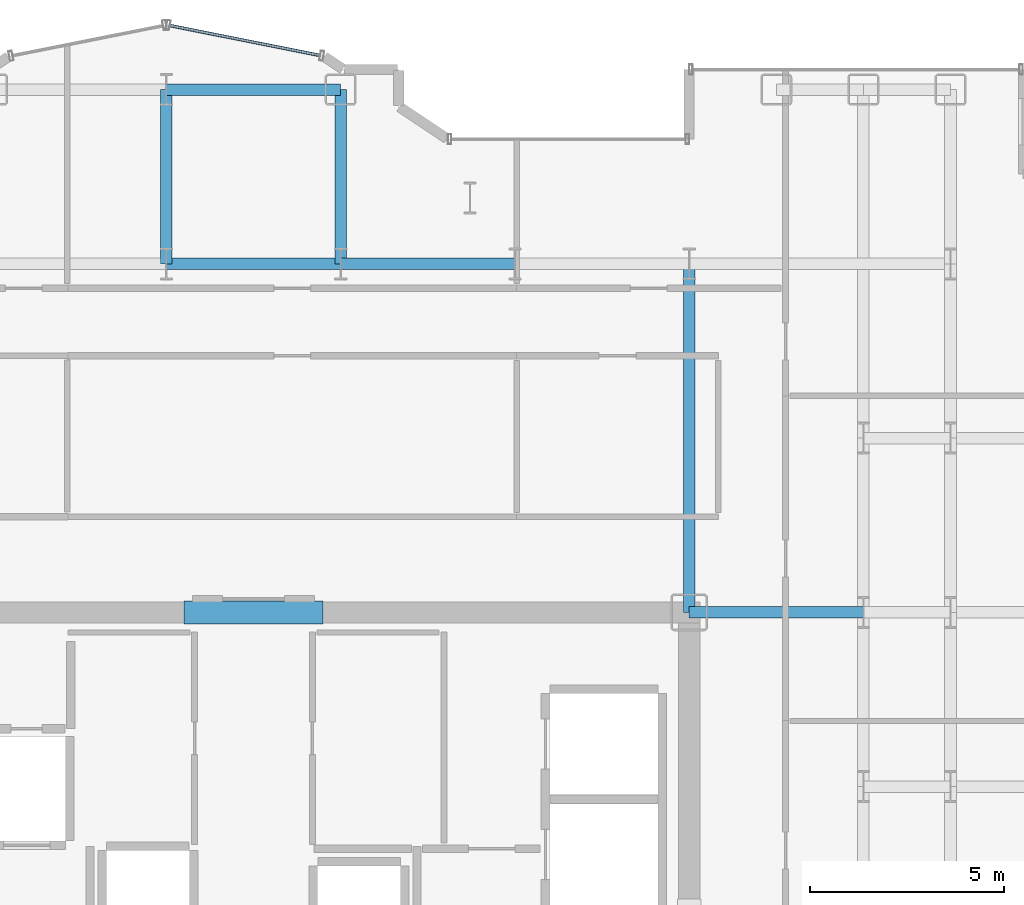
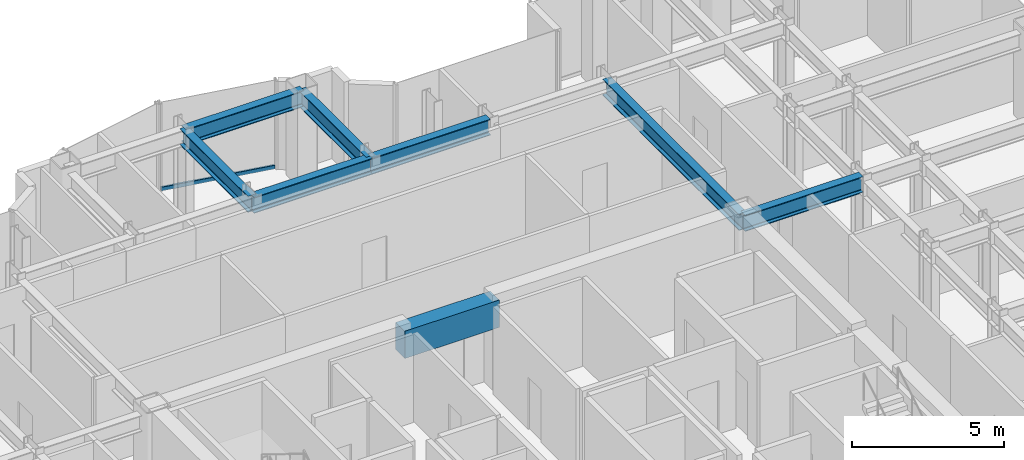
# One storey, part 15 of 26: 8 beams, 1 member, 1 element without a shape of its own.
"""IFC4 building model written with IfcOpenShell, lengths in metres."""

from ifc_helpers import new_model, si_unit, direction, frame, origin, origin_2d, place, context, subcontext, project, spatial, rectangle, hollow_rectangle, i_section, extrude, source, transform, mapped, material, layer, layer_set, material_profile, profile_set, type_object, element, aggregate, save


model = new_model("IFC4")

# Units and contexts
model_context = context("Model", 3, precision=1e-05, world=origin(), true_north=direction((0.0, 1.0)))
body_context = subcontext(model_context, "Body", "Model", "MODEL_VIEW")
ifc_project = project(units=[si_unit("LENGTHUNIT", "METRE"), si_unit("AREAUNIT", "SQUARE_METRE"), si_unit("VOLUMEUNIT", "CUBIC_METRE"), si_unit("PLANEANGLEUNIT", "RADIAN"), si_unit("MASSUNIT", "GRAM", prefix="KILO")], contexts=[model_context])

# Site, building, storey
site_placement = place(None, origin())
site = spatial("IfcSite", under=ifc_project, at=site_placement, CompositionType="ELEMENT")
building_placement = place(site_placement, origin())
building = spatial("IfcBuilding", under=site, at=building_placement, Name="Nefas-Gora Pilgrimage Tower", CompositionType="ELEMENT")
storey_placement = place(building_placement, frame((0.0, 0.0, 160.199951171875)))
storey = spatial("IfcBuildingStorey", under=building, at=storey_placement, Name="L39", CompositionType="ELEMENT", Elevation=160.199951171875)

# Beams
ifc_material_1 = material(Name="Concrete C60/75", Category="concrete")
ifc_material_profile_1 = material_profile(ifc_material_1, rectangle(XDim=0.60009765625, YDim=1.10009765625, at=origin_2d()), Name="RC 600x1100")
ifc_profile_set_1 = profile_set([ifc_material_profile_1], Name="Concrete C60/75")
beam_type_1 = type_object("IfcBeamType", Name="BM-LIN-RC1100", PredefinedType="LINTEL", material=ifc_profile_set_1)
shared_shape_1 = source(origin(), body_context, "Body", "SweptSolid", [
    extrude(rectangle(XDim=0.60009765625, YDim=1.10009765625, at=origin_2d()), origin(), (0.0, 0.0, 1.0), 3.60009765625),
])
beam_1_placement = place(storey_placement, frame((-1.800048828125, 9.0, 3.0), z_axis=(1.0, 0.0, 0.0), x_axis=(0.0, 1.0, 0.0)))
element("IfcBeam", 1, at=beam_1_placement, inside=storey, type_object=beam_type_1, Name="L39 Core Coupling Lintel Beam N", PredefinedType="LINTEL", context=body_context, shape_type="MappedRepresentation", body=[
    mapped(shared_shape_1, transform((0.0, 0.0, 0.0), x_axis=(1.0, 0.0, 0.0), y_axis=(0.0, 1.0, 0.0), z_axis=(0.0, 0.0, 1.0), scale=1.0)),
])
ifc_material_2 = material(Name="Steel S355", Category="steel")
ifc_material_profile_2 = material_profile(ifc_material_2, i_section(OverallWidth=0.300048828125, OverallDepth=0.64990234375, WebThickness=0.01611328125, FlangeThickness=0.031005859375, FilletRadius=0.027099609375, at=origin_2d()), Name="HEB 650")
ifc_profile_set_2 = profile_set([ifc_material_profile_2], Name="Steel S355")
beam_type_2 = type_object("IfcBeamType", Name="BM-GIR-HEB650", PredefinedType="BEAM", material=ifc_profile_set_2)
shared_shape_2 = source(origin(), body_context, "Body", "SweptSolid", [
    extrude(i_section(OverallWidth=0.300048828125, OverallDepth=0.64990234375, WebThickness=0.01611328125, FlangeThickness=0.031005859375, FilletRadius=0.027099609375, at=origin_2d()), origin(), (0.0, 0.0, 1.0), 9.0),
])
beam_2_placement = place(storey_placement, frame((11.25, 9.0, 3.22509765625), z_axis=(0.0, 1.0, 0.0), x_axis=(-1.0, 0.0, 0.0)))
element("IfcBeam", 2, at=beam_2_placement, inside=storey, type_object=beam_type_2, Name="L39 G-03 beam", PredefinedType="BEAM", context=body_context, shape_type="MappedRepresentation", body=[
    mapped(shared_shape_2, transform((0.0, 0.0, 0.0), x_axis=(1.0, 0.0, 0.0), y_axis=(0.0, 1.0, 0.0), z_axis=(0.0, 0.0, 1.0), scale=1.0)),
])
shared_shape_3 = source(origin(), body_context, "Body", "SweptSolid", [
    extrude(i_section(OverallWidth=0.300048828125, OverallDepth=0.64990234375, WebThickness=0.01611328125, FlangeThickness=0.031005859375, FilletRadius=0.027099609375, at=origin_2d()), origin(), (0.0, 0.0, 1.0), 4.5),
])
for number, where, z_axis, x_axis, name in (
    (3, (-2.25, 18.0, 3.22509765625), (0.0, 1.0, 0.0), (-1.0, 0.0, 0.0), "L39 G-03 beam"),
    (4, (-2.25, 18.0, 3.22509765625), (1.0, 0.0, 0.0), (0.0, 1.0, 0.0), "L39 G-03 beam"),
    (5, (-2.25, 22.5, 3.22509765625), (1.0, 0.0, 0.0), (0.0, 1.0, 0.0), "L39 G-03 beam"),
    (6, (2.25, 18.0, 3.22509765625), (0.0, 1.0, 0.0), (-1.0, 0.0, 0.0), "L39 G-03 beam"),
    (7, (2.25, 18.0, 3.22509765625), (1.0, 0.0, 0.0), (0.0, 1.0, 0.0), "L39 G-03 beam"),
    (8, (11.25, 9.0, 3.22509765625), (1.0, 0.0, 0.0), (0.0, 1.0, 0.0), "L39 G-03 beam"),
):
    element("IfcBeam", number, at=place(storey_placement, frame(where, z_axis=z_axis, x_axis=x_axis)), inside=storey, type_object=beam_type_2, Name=name, PredefinedType="BEAM", context=body_context, shape_type="MappedRepresentation", body=[
        mapped(shared_shape_3, transform((0.0, 0.0, 0.0), x_axis=(1.0, 0.0, 0.0), y_axis=(0.0, 1.0, 0.0), z_axis=(0.0, 0.0, 1.0), scale=1.0)),
    ])

# Curtain wall, member
ifc_material_3 = material(Name="Dark ceramic-fritted solar-control aluminium-glass curtain wall", Category="aluminium")
ifc_layer = layer(ifc_material_3, 0.219970703125)
ifc_layer_set = layer_set([ifc_layer], Name="Dark ceramic-fritted solar-control aluminium-glass curtain wall")
curtain_wall_type = type_object("IfcCurtainWallType", Name="CW-SYS-5", PredefinedType="NOTDEFINED", material=ifc_layer_set)
curtain_wall_placement = place(storey_placement, origin())
curtain_wall = element("IfcCurtainWall", 9, at=curtain_wall_placement, inside=storey, type_object=curtain_wall_type, Name="L39 Unitised Curtain Wall CW5", PredefinedType="NOTDEFINED")
ifc_material_4 = material(Name="Anodised architectural aluminium", Category="aluminium")
ifc_material_profile_3 = material_profile(ifc_material_4, hollow_rectangle(XDim=0.080078125, YDim=0.159912109375, WallThickness=0.00439453125, InnerFilletRadius=0.00439453125, OuterFilletRadius=0.009033203125, at=origin_2d()), Name="ALU TRANSOM 80x160")
ifc_profile_set_3 = profile_set([ifc_material_profile_3], Name="Anodised architectural aluminium")
member_type = type_object("IfcMemberType", Name="CWM-TRN-5", PredefinedType="USERDEFINED", material=ifc_profile_set_3)
shared_shape_4 = source(origin(), body_context, "Body", "SweptSolid", [
    extrude(hollow_rectangle(XDim=0.080078125, YDim=0.159912109375, WallThickness=0.00439453125, InnerFilletRadius=0.00439453125, OuterFilletRadius=0.009033203125, at=origin_2d()), origin(), (0.0, 0.0, 1.0), 3.95654296875),
])
member_placement = place(storey_placement, frame((1.718994140625, 23.3828125, 0.050048828125), z_axis=(-0.980781880918, 0.195107411605, 0.0), x_axis=(-0.195107411605, -0.980781880918, 0.0)))
member = element("IfcMember", 10, at=member_placement, type_object=member_type, Name="CW5 Spandrel Transom", ObjectType="TRANSOM", PredefinedType="USERDEFINED", context=body_context, shape_type="MappedRepresentation", body=[
    mapped(shared_shape_4, transform((0.0, 0.0, 0.0), x_axis=(1.0, 0.0, 0.0), y_axis=(0.0, 1.0, 0.0), z_axis=(0.0, 0.0, 1.0), scale=1.0)),
])
aggregate(curtain_wall, [member])

save(model, "model.ifc")
